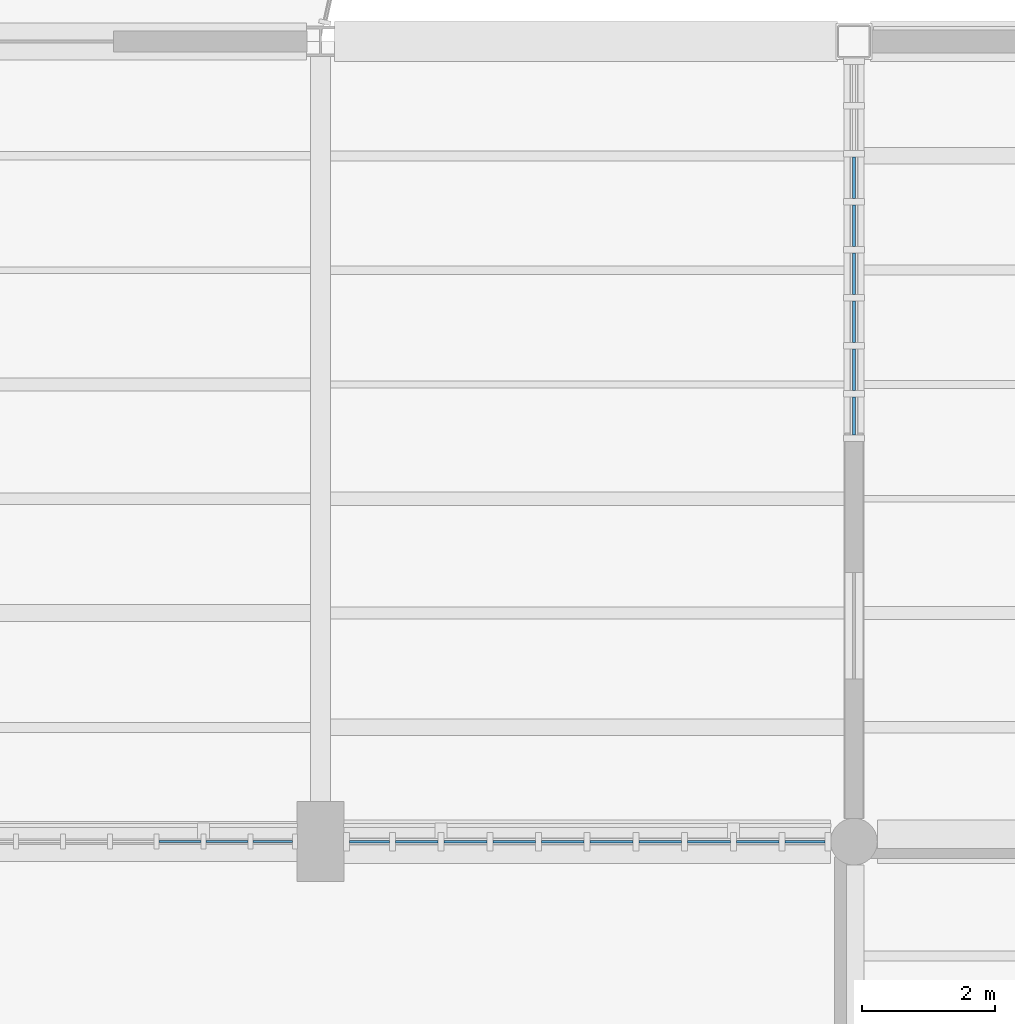
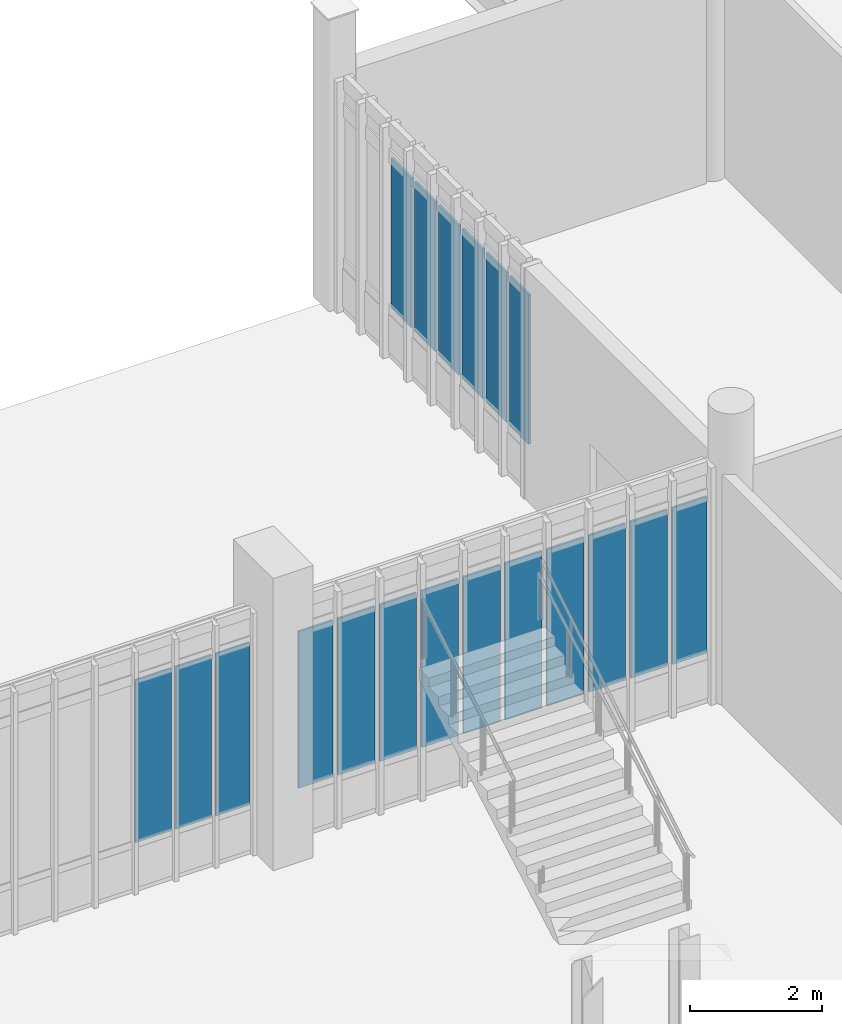
# One storey, part 61 of 111: 19 plates, 3 elements without a shape of their own.
"""IFC4 building model written with IfcOpenShell, lengths in metres."""

from ifc_helpers import new_model, si_unit, direction, frame, origin, origin_2d, place, context, subcontext, project, spatial, rectangle, extrude, material, layer, layer_set, type_object, element, aggregate, save


model = new_model("IFC4")

# Units and contexts
model_context = context("Model", 3, precision=1e-05, world=origin(), true_north=direction((0.0, 1.0)))
body_context = subcontext(model_context, "Body", "Model", "MODEL_VIEW")
ifc_project = project(units=[si_unit("LENGTHUNIT", "METRE"), si_unit("AREAUNIT", "SQUARE_METRE"), si_unit("VOLUMEUNIT", "CUBIC_METRE"), si_unit("PLANEANGLEUNIT", "RADIAN"), si_unit("MASSUNIT", "GRAM", prefix="KILO")], contexts=[model_context])

# Site, building, storey
site_placement = place(None, origin())
site = spatial("IfcSite", under=ifc_project, at=site_placement, CompositionType="ELEMENT")
building_placement = place(site_placement, origin())
building = spatial("IfcBuilding", under=site, at=building_placement, Name="Larkvane Passage Sports Hall", CompositionType="ELEMENT")
storey_placement = place(building_placement, origin())
storey = spatial("IfcBuildingStorey", under=building, at=storey_placement, Name="L00", CompositionType="ELEMENT", Elevation=0.0)

# Curtain wall, plates
ifc_material_1 = material(Name="Thermally broken aluminium and low-E glazing", Category="aluminium")
curtain_wall_type_1 = type_object("IfcCurtainWallType", Name="CW-UNIT-VEIL", PredefinedType="USERDEFINED", material=ifc_material_1)
curtain_wall_1_placement = place(storey_placement, origin())
curtain_wall_1 = element("IfcCurtainWall", 1, at=curtain_wall_1_placement, inside=storey, type_object=curtain_wall_type_1, Name="Curtain wall CW5-L00-017", ObjectType="UNITISED CURTAIN WALL", PredefinedType="USERDEFINED")
ifc_material_2 = material(Name="Laminated acoustic low-E glazing", Category="glass")
ifc_layer_1 = layer(ifc_material_2, 0.031982421875)
ifc_layer_set_1 = layer_set([ifc_layer_1], Name="Laminated acoustic low-E glazing")
plate_type_1 = type_object("IfcPlateType", Name="CWP-VIS-32", PredefinedType="CURTAIN_PANEL", material=ifc_layer_set_1)
plate_1_placement = place(storey_placement, frame((107.895751953125, 51.60009765625, 0.887451171875), z_axis=(0.0, 0.0, 1.0), x_axis=(1.0, 0.0, 0.0)))
plate_1 = element("IfcPlate", 2, at=plate_1_placement, type_object=plate_type_1, Name="CW-02 panel 8.2", PredefinedType="CURTAIN_PANEL", context=body_context, shape_type="SweptSolid", body=[
    extrude(rectangle(XDim=0.62841796875, YDim=0.031982421875, at=origin_2d()), origin(), (0.0, 0.0, 1.0), 3.0048828125),
])
plate_2_placement = place(storey_placement, frame((108.59912109375, 51.60009765625, 0.887451171875), z_axis=(0.0, 0.0, 1.0), x_axis=(1.0, 0.0, 0.0)))
plate_2 = element("IfcPlate", 3, at=plate_2_placement, type_object=plate_type_1, Name="CW-02 panel 9.2", PredefinedType="CURTAIN_PANEL", context=body_context, shape_type="SweptSolid", body=[
    extrude(rectangle(XDim=0.62841796875, YDim=0.031982421875, at=origin_2d()), origin(), (0.0, 0.0, 1.0), 3.0048828125),
])
plate_3_placement = place(storey_placement, frame((109.28369140625, 51.60009765625, 0.887451171875), z_axis=(0.0, 0.0, 1.0), x_axis=(1.0, 0.0, 0.0)))
plate_3 = element("IfcPlate", 4, at=plate_3_placement, type_object=plate_type_1, Name="CW-02 panel 10.2", PredefinedType="CURTAIN_PANEL", context=body_context, shape_type="SweptSolid", body=[
    extrude(rectangle(XDim=0.5908203125, YDim=0.031982421875, at=origin_2d()), origin(), (0.0, 0.0, 1.0), 3.0048828125),
])
aggregate(curtain_wall_1, [plate_1, plate_2, plate_3])

curtain_wall_type_2 = type_object("IfcCurtainWallType", Name="CW-STICK-FOYER", PredefinedType="USERDEFINED", material=ifc_material_1)
curtain_wall_2_placement = place(storey_placement, origin())
curtain_wall_2 = element("IfcCurtainWall", 5, at=curtain_wall_2_placement, inside=storey, type_object=curtain_wall_type_2, Name="Curtain wall CW5-L00-018", ObjectType="STICK CURTAIN WALL", PredefinedType="USERDEFINED")
ifc_material_3 = material(Name="High-impact court low-E glazing", Category="glass")
ifc_layer_2 = layer(ifc_material_3, 0.035888671875)
ifc_layer_set_2 = layer_set([ifc_layer_2], Name="High-impact court low-E glazing")
plate_type_2 = type_object("IfcPlateType", Name="CWP-VIS-36", PredefinedType="CURTAIN_PANEL", material=ifc_layer_set_2)
plate_4_placement = place(storey_placement, frame((110.73388671875, 51.60009765625, 0.89501953125), z_axis=(0.0, 0.0, 1.0), x_axis=(1.0, 0.0, 0.0)))
plate_4 = element("IfcPlate", 6, at=plate_4_placement, type_object=plate_type_2, Name="CW-03 panel 1.2", PredefinedType="CURTAIN_PANEL", context=body_context, shape_type="SweptSolid", body=[
    extrude(rectangle(XDim=0.595703125, YDim=0.035888671875, at=origin_2d()), origin(), (0.0, 0.0, 1.0), 2.89599609375),
])
plate_5_placement = place(storey_placement, frame((111.442138671875, 51.60009765625, 0.89501953125), z_axis=(0.0, 0.0, 1.0), x_axis=(1.0, 0.0, 0.0)))
plate_5 = element("IfcPlate", 7, at=plate_5_placement, type_object=plate_type_2, Name="CW-03 panel 2.2", PredefinedType="CURTAIN_PANEL", context=body_context, shape_type="SweptSolid", body=[
    extrude(rectangle(XDim=0.640869140625, YDim=0.035888671875, at=origin_2d()), origin(), (0.0, 0.0, 1.0), 2.89599609375),
])
plate_6_placement = place(storey_placement, frame((112.173095703125, 51.60009765625, 0.89501953125), z_axis=(0.0, 0.0, 1.0), x_axis=(1.0, 0.0, 0.0)))
plate_6 = element("IfcPlate", 8, at=plate_6_placement, type_object=plate_type_2, Name="CW-03 panel 3.2", PredefinedType="CURTAIN_PANEL", context=body_context, shape_type="SweptSolid", body=[
    extrude(rectangle(XDim=0.640869140625, YDim=0.035888671875, at=origin_2d()), origin(), (0.0, 0.0, 1.0), 2.89599609375),
])
plate_7_placement = place(storey_placement, frame((112.90380859375, 51.60009765625, 0.89501953125), z_axis=(0.0, 0.0, 1.0), x_axis=(1.0, 0.0, 0.0)))
plate_7 = element("IfcPlate", 9, at=plate_7_placement, type_object=plate_type_2, Name="CW-03 panel 4.2", PredefinedType="CURTAIN_PANEL", context=body_context, shape_type="SweptSolid", body=[
    extrude(rectangle(XDim=0.640869140625, YDim=0.035888671875, at=origin_2d()), origin(), (0.0, 0.0, 1.0), 2.89599609375),
])
plate_8_placement = place(storey_placement, frame((113.634521484375, 51.60009765625, 0.89501953125), z_axis=(0.0, 0.0, 1.0), x_axis=(1.0, 0.0, 0.0)))
plate_8 = element("IfcPlate", 10, at=plate_8_placement, type_object=plate_type_2, Name="CW-03 panel 5.2", PredefinedType="CURTAIN_PANEL", context=body_context, shape_type="SweptSolid", body=[
    extrude(rectangle(XDim=0.640869140625, YDim=0.035888671875, at=origin_2d()), origin(), (0.0, 0.0, 1.0), 2.89599609375),
])
plate_9_placement = place(storey_placement, frame((114.365478515625, 51.60009765625, 0.89501953125), z_axis=(0.0, 0.0, 1.0), x_axis=(1.0, 0.0, 0.0)))
plate_9 = element("IfcPlate", 11, at=plate_9_placement, type_object=plate_type_2, Name="CW-03 panel 6.2", PredefinedType="CURTAIN_PANEL", context=body_context, shape_type="SweptSolid", body=[
    extrude(rectangle(XDim=0.640869140625, YDim=0.035888671875, at=origin_2d()), origin(), (0.0, 0.0, 1.0), 2.89599609375),
])
plate_10_placement = place(storey_placement, frame((115.09619140625, 51.60009765625, 0.89501953125), z_axis=(0.0, 0.0, 1.0), x_axis=(1.0, 0.0, 0.0)))
plate_10 = element("IfcPlate", 12, at=plate_10_placement, type_object=plate_type_2, Name="CW-03 panel 7.2", PredefinedType="CURTAIN_PANEL", context=body_context, shape_type="SweptSolid", body=[
    extrude(rectangle(XDim=0.640869140625, YDim=0.035888671875, at=origin_2d()), origin(), (0.0, 0.0, 1.0), 2.89599609375),
])
plate_11_placement = place(storey_placement, frame((115.826904296875, 51.60009765625, 0.89501953125), z_axis=(0.0, 0.0, 1.0), x_axis=(1.0, 0.0, 0.0)))
plate_11 = element("IfcPlate", 13, at=plate_11_placement, type_object=plate_type_2, Name="CW-03 panel 8.2", PredefinedType="CURTAIN_PANEL", context=body_context, shape_type="SweptSolid", body=[
    extrude(rectangle(XDim=0.640869140625, YDim=0.035888671875, at=origin_2d()), origin(), (0.0, 0.0, 1.0), 2.89599609375),
])
plate_12_placement = place(storey_placement, frame((116.557861328125, 51.60009765625, 0.89501953125), z_axis=(0.0, 0.0, 1.0), x_axis=(1.0, 0.0, 0.0)))
plate_12 = element("IfcPlate", 14, at=plate_12_placement, type_object=plate_type_2, Name="CW-03 panel 9.2", PredefinedType="CURTAIN_PANEL", context=body_context, shape_type="SweptSolid", body=[
    extrude(rectangle(XDim=0.640869140625, YDim=0.035888671875, at=origin_2d()), origin(), (0.0, 0.0, 1.0), 2.89599609375),
])
plate_13_placement = place(storey_placement, frame((117.26611328125, 51.60009765625, 0.89501953125), z_axis=(0.0, 0.0, 1.0), x_axis=(1.0, 0.0, 0.0)))
plate_13 = element("IfcPlate", 15, at=plate_13_placement, type_object=plate_type_2, Name="CW-03 panel 10.2", PredefinedType="CURTAIN_PANEL", context=body_context, shape_type="SweptSolid", body=[
    extrude(rectangle(XDim=0.595703125, YDim=0.035888671875, at=origin_2d()), origin(), (0.0, 0.0, 1.0), 2.89599609375),
])
aggregate(curtain_wall_2, [plate_4, plate_5, plate_6, plate_7, plate_8, plate_9, plate_10, plate_11, plate_12, plate_13])

curtain_wall_type_3 = type_object("IfcCurtainWallType", Name="CW-CLINIC", PredefinedType="USERDEFINED", material=ifc_material_1)
curtain_wall_3_placement = place(storey_placement, origin())
curtain_wall_3 = element("IfcCurtainWall", 16, at=curtain_wall_3_placement, inside=storey, type_object=curtain_wall_type_3, Name="Curtain wall CW5-L00-019", ObjectType="UNITISED CURTAIN WALL", PredefinedType="USERDEFINED")
ifc_material_4 = material(Name="Triple-laminated typhoon glazing", Category="glass")
ifc_layer_3 = layer(ifc_material_4, 0.0419921875)
ifc_layer_set_3 = layer_set([ifc_layer_3], Name="Triple-laminated typhoon glazing")
plate_type_3 = type_object("IfcPlateType", Name="CWP-VIS-42", PredefinedType="CURTAIN_PANEL", material=ifc_layer_set_3)
plate_14_placement = place(storey_placement, frame((118.0, 57.984619140625, 0.89990234375), z_axis=(0.0, 0.0, 1.0), x_axis=(0.0, 1.0, 0.0)))
plate_14 = element("IfcPlate", 17, at=plate_14_placement, type_object=plate_type_3, Name="CW-05 panel 1.2", PredefinedType="CURTAIN_PANEL", context=body_context, shape_type="SweptSolid", body=[
    extrude(rectangle(XDim=0.5693359375, YDim=0.0419921875, at=origin_2d()), origin(), (0.0, 0.0, 1.0), 2.76806640625),
])
plate_15_placement = place(storey_placement, frame((118.0, 58.678955078125, 0.89990234375), z_axis=(0.0, 0.0, 1.0), x_axis=(0.0, 1.0, 0.0)))
plate_15 = element("IfcPlate", 18, at=plate_15_placement, type_object=plate_type_3, Name="CW-05 panel 2.2", PredefinedType="CURTAIN_PANEL", context=body_context, shape_type="SweptSolid", body=[
    extrude(rectangle(XDim=0.619140625, YDim=0.0419921875, at=origin_2d()), origin(), (0.0, 0.0, 1.0), 2.76806640625),
])
plate_16_placement = place(storey_placement, frame((118.0, 59.398193359375, 0.89990234375), z_axis=(0.0, 0.0, 1.0), x_axis=(0.0, 1.0, 0.0)))
plate_16 = element("IfcPlate", 19, at=plate_16_placement, type_object=plate_type_3, Name="CW-05 panel 3.2", PredefinedType="CURTAIN_PANEL", context=body_context, shape_type="SweptSolid", body=[
    extrude(rectangle(XDim=0.619140625, YDim=0.0419921875, at=origin_2d()), origin(), (0.0, 0.0, 1.0), 2.76806640625),
])
plate_17_placement = place(storey_placement, frame((118.0, 60.117431640625, 0.89990234375), z_axis=(0.0, 0.0, 1.0), x_axis=(0.0, 1.0, 0.0)))
plate_17 = element("IfcPlate", 20, at=plate_17_placement, type_object=plate_type_3, Name="CW-05 panel 4.2", PredefinedType="CURTAIN_PANEL", context=body_context, shape_type="SweptSolid", body=[
    extrude(rectangle(XDim=0.619140625, YDim=0.0419921875, at=origin_2d()), origin(), (0.0, 0.0, 1.0), 2.76806640625),
])
plate_18_placement = place(storey_placement, frame((118.0, 60.836669921875, 0.89990234375), z_axis=(0.0, 0.0, 1.0), x_axis=(0.0, 1.0, 0.0)))
plate_18 = element("IfcPlate", 21, at=plate_18_placement, type_object=plate_type_3, Name="CW-05 panel 5.2", PredefinedType="CURTAIN_PANEL", context=body_context, shape_type="SweptSolid", body=[
    extrude(rectangle(XDim=0.619140625, YDim=0.0419921875, at=origin_2d()), origin(), (0.0, 0.0, 1.0), 2.76806640625),
])
plate_19_placement = place(storey_placement, frame((118.0, 61.555908203125, 0.89990234375), z_axis=(0.0, 0.0, 1.0), x_axis=(0.0, 1.0, 0.0)))
plate_19 = element("IfcPlate", 22, at=plate_19_placement, type_object=plate_type_3, Name="CW-05 panel 6.2", PredefinedType="CURTAIN_PANEL", context=body_context, shape_type="SweptSolid", body=[
    extrude(rectangle(XDim=0.619140625, YDim=0.0419921875, at=origin_2d()), origin(), (0.0, 0.0, 1.0), 2.76806640625),
])
aggregate(curtain_wall_3, [plate_14, plate_15, plate_16, plate_17, plate_18, plate_19])

save(model, "model.ifc")
